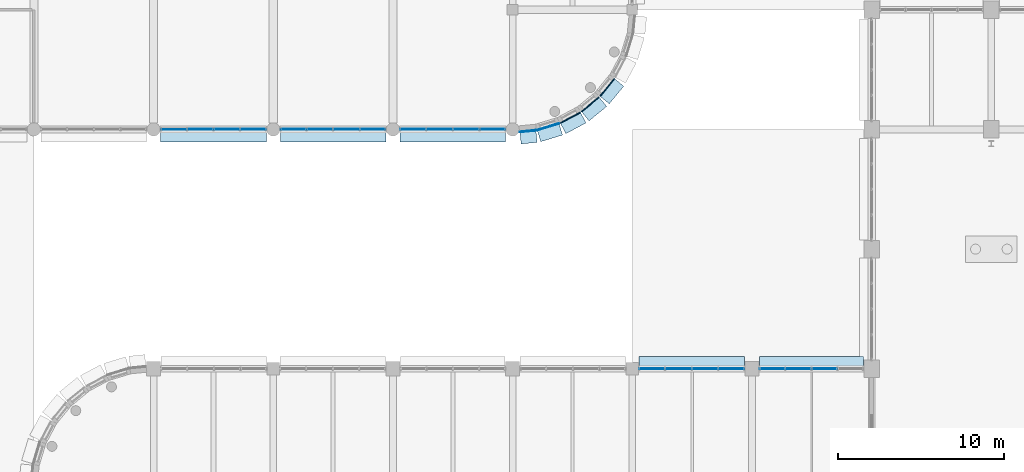
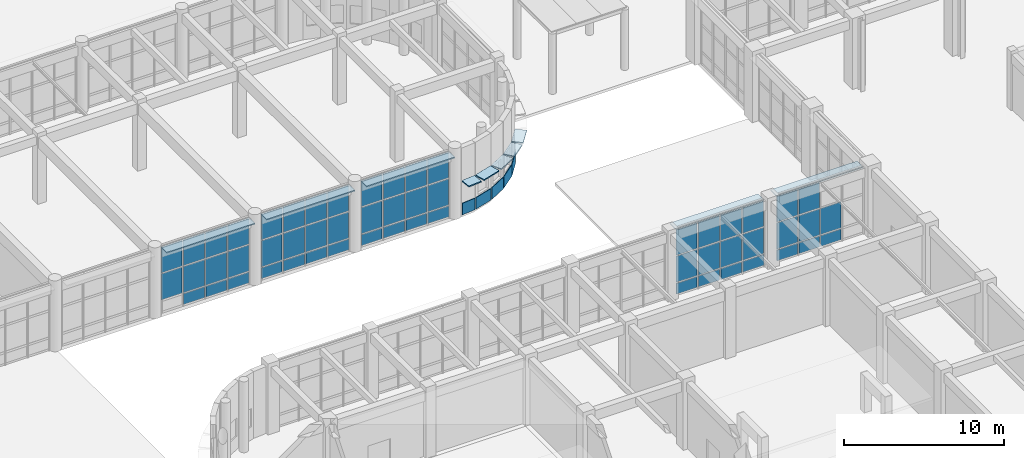
# One storey, part 118 of 160: 70 plates, 5 elements without a shape of their own.
"""IFC4 building model written with IfcOpenShell, lengths in metres."""

from ifc_helpers import new_model, si_unit, direction, frame, origin, origin_2d, place, context, subcontext, project, spatial, rectangle, extrude, material, layer, layer_set, type_object, element, aggregate, save


model = new_model("IFC4")

# Units and contexts
model_context = context("Model", 3, precision=1e-05, world=origin(), true_north=direction((0.0, 1.0)))
body_context = subcontext(model_context, "Body", "Model", "MODEL_VIEW")
ifc_project = project(units=[si_unit("LENGTHUNIT", "METRE"), si_unit("AREAUNIT", "SQUARE_METRE"), si_unit("VOLUMEUNIT", "CUBIC_METRE"), si_unit("PLANEANGLEUNIT", "RADIAN"), si_unit("MASSUNIT", "GRAM", prefix="KILO")], contexts=[model_context])

# Site, building, storey
site_placement = place(None, origin())
site = spatial("IfcSite", under=ifc_project, at=site_placement, CompositionType="ELEMENT")
building_placement = place(site_placement, origin())
building = spatial("IfcBuilding", under=site, at=building_placement, Name="Thalmaran Polytechnic", CompositionType="ELEMENT")
storey_placement = place(building_placement, origin())
storey = spatial("IfcBuildingStorey", under=building, at=storey_placement, Name="L00", CompositionType="ELEMENT", Elevation=0.0)

# Plates
ifc_material_1 = material(Name="Anodised aluminium spandrel band", Category="aluminium")
ifc_layer_1 = layer(ifc_material_1, 0.054931640625, Name="Anodised aluminium spandrel band")
ifc_layer_set_1 = layer_set([ifc_layer_1], Name="Anodised aluminium spandrel band")
plate_type_1 = type_object("IfcPlateType", Name="PT-BD01", PredefinedType="SHEET", material=ifc_layer_set_1)
for number, where, z_axis, x_axis, name in (
    (1, (92.089599609375, 52.9306640625, 0.02001953125), (0.0, 0.0, 1.0), (-0.634393284164, -0.773010453363, 0.0), "Streamline Horizontal Spandrel Band L00-132"),
    (2, (91.0693359375, 51.910400390625, 0.02001953125), (0.0, 0.0, 1.0), (-0.773010453363, -0.634393284164, 0.0), "Streamline Horizontal Spandrel Band L00-133"),
    (3, (89.86962890625, 51.10888671875, 0.02001953125), (0.0, 0.0, 1.0), (-0.881921264348, -0.471396736826, 0.0), "Streamline Horizontal Spandrel Band L00-134"),
    (4, (88.53662109375, 50.556640625, 0.02001953125), (0.0, 0.0, 1.0), (-0.956940335732, -0.290284677254, 0.0), "Streamline Horizontal Spandrel Band L00-135"),
):
    element("IfcPlate", number, at=place(storey_placement, frame(where, z_axis=z_axis, x_axis=x_axis)), inside=storey, type_object=plate_type_1, Name=name, PredefinedType="SHEET", context=body_context, shape_type="SweptSolid", body=[
        extrude(rectangle(XDim=1.371337890625, YDim=0.054931640625, at=origin_2d()), origin(), (0.0, 0.0, 1.0), 0.8798828125),
    ])
plate_1_placement = place(storey_placement, frame((87.320556640625, 50.294677734375, 0.02001953125), z_axis=(0.0, 0.0, 1.0), x_axis=(-0.995184726672, -0.09801714033, 0.0)))
element("IfcPlate", 5, at=plate_1_placement, inside=storey, type_object=plate_type_1, Name="Streamline Horizontal Spandrel Band L00-136", PredefinedType="SHEET", context=body_context, shape_type="SweptSolid", body=[
    extrude(rectangle(XDim=0.971435546875, YDim=0.054931640625, at=origin_2d()), origin(), (0.0, 0.0, 1.0), 0.8798828125),
])
ifc_material_2 = material(Name="Anodised aluminium sun-hood eyebrow", Category="aluminium")
ifc_layer_2 = layer(ifc_material_2, 0.0849609375, Name="Anodised aluminium sun-hood eyebrow")
ifc_layer_set_2 = layer_set([ifc_layer_2], Name="Anodised aluminium sun-hood eyebrow")
plate_type_2 = type_object("IfcPlateType", Name="PT-EB01", PredefinedType="SHEET", material=ifc_layer_set_2)
for number, where, z_axis, x_axis, name in (
    (6, (92.356201171875, 52.711669921875, 2.517578125), (0.0, 0.0, 1.0), (-0.634393284164, -0.773010453363, 0.0), "Streamline Sun-Hood Eyebrow L00-132"),
    (7, (91.288330078125, 51.643798828125, 2.517578125), (0.0, 0.0, 1.0), (-0.773010453363, -0.634393284164, 0.0), "Streamline Sun-Hood Eyebrow L00-133"),
    (8, (90.0322265625, 50.804443359375, 2.517578125), (0.0, 0.0, 1.0), (-0.881921264348, -0.471396736826, 0.0), "Streamline Sun-Hood Eyebrow L00-134"),
    (9, (88.63671875, 50.2265625, 2.517578125), (0.0, 0.0, 1.0), (-0.956940335732, -0.290284677254, 0.0), "Streamline Sun-Hood Eyebrow L00-135"),
):
    element("IfcPlate", number, at=place(storey_placement, frame(where, z_axis=z_axis, x_axis=x_axis)), inside=storey, type_object=plate_type_2, Name=name, PredefinedType="SHEET", context=body_context, shape_type="SweptSolid", body=[
        extrude(rectangle(XDim=1.371337890625, YDim=0.760009765625, at=origin_2d()), origin(), (0.0, 0.0, 1.0), 0.0849609375),
    ])
plate_2_placement = place(storey_placement, frame((87.354248046875, 49.951416015625, 2.517578125), z_axis=(0.0, 0.0, 1.0), x_axis=(-0.995184726672, -0.09801714033, 0.0)))
element("IfcPlate", 10, at=plate_2_placement, inside=storey, type_object=plate_type_2, Name="Streamline Sun-Hood Eyebrow L00-136", PredefinedType="SHEET", context=body_context, shape_type="SweptSolid", body=[
    extrude(rectangle(XDim=0.971435546875, YDim=0.760009765625, at=origin_2d()), origin(), (0.0, 0.0, 1.0), 0.0849609375),
])
for number, where, z_axis, x_axis, name in (
    (11, (82.800048828125, 50.0400390625, 4.987548828125), (0.0, 0.0, 1.0), (-1.0, 0.0, 0.0), "Streamline Sun-Hood Eyebrow L00-CW036"),
    (12, (75.60009765625, 50.0400390625, 4.987548828125), (0.0, 0.0, 1.0), (-1.0, 0.0, 0.0), "Streamline Sun-Hood Eyebrow L00-CW037"),
    (13, (68.39990234375, 50.0400390625, 4.987548828125), (0.0, 0.0, 1.0), (-1.0, 0.0, 0.0), "Streamline Sun-Hood Eyebrow L00-CW038"),
    (14, (97.175048828125, 36.360107421875, 4.987548828125), (0.0, 0.0, 1.0), (1.0, 0.0, 0.0), "Streamline Sun-Hood Eyebrow L00-CW059"),
):
    element("IfcPlate", number, at=place(storey_placement, frame(where, z_axis=z_axis, x_axis=x_axis)), inside=storey, type_object=plate_type_2, Name=name, PredefinedType="SHEET", context=body_context, shape_type="SweptSolid", body=[
        extrude(rectangle(XDim=6.360107421875, YDim=0.760009765625, at=origin_2d()), origin(), (0.0, 0.0, 1.0), 0.0849609375),
    ])
plate_3_placement = place(storey_placement, frame((104.375, 36.360107421875, 4.987548828125), z_axis=(0.0, 0.0, 1.0), x_axis=(1.0, 0.0, 0.0)))
element("IfcPlate", 15, at=plate_3_placement, inside=storey, type_object=plate_type_2, Name="Streamline Sun-Hood Eyebrow L00-CW060", PredefinedType="SHEET", context=body_context, shape_type="SweptSolid", body=[
    extrude(rectangle(XDim=6.260009765625, YDim=0.760009765625, at=origin_2d()), origin(), (0.0, 0.0, 1.0), 0.0849609375),
])

# Curtain wall, plates
ifc_material_3 = material(Name="Aluminium 6063-T6", Category="aluminium")
curtain_wall_type_1 = type_object("IfcCurtainWallType", Name="CW-UC01", PredefinedType="USERDEFINED", material=ifc_material_3)
curtain_wall_1_placement = place(storey_placement, origin())
curtain_wall_1 = element("IfcCurtainWall", 16, at=curtain_wall_1_placement, inside=storey, type_object=curtain_wall_type_1, Name="Curtain Wall CW-L00-060", ObjectType="UNITISED CURTAIN WALL", PredefinedType="USERDEFINED")
ifc_material_4 = material(Name="Solar-control double low-E glass", Category="glass")
ifc_layer_3 = layer(ifc_material_4, 0.035888671875, Name="Solar-control double low-E glass")
ifc_layer_set_3 = layer_set([ifc_layer_3], Name="Solar-control double low-E glass")
plate_type_3 = type_object("IfcPlateType", Name="PT-GL01", PredefinedType="CURTAIN_PANEL", material=ifc_layer_set_3)
plate_4_placement = place(storey_placement, frame((102.012451171875, 36.0, 1.0), z_axis=(0.0, 0.0, 1.0), x_axis=(1.0, 0.0, 0.0)))
plate_4 = element("IfcPlate", 17, at=plate_4_placement, type_object=plate_type_3, Name="CW-L00-060 Vision Panel 1-2", PredefinedType="CURTAIN_PANEL", context=body_context, shape_type="SweptSolid", body=[
    extrude(rectangle(XDim=1.47509765625, YDim=0.035888671875, at=origin_2d()), origin(), (0.0, 0.0, 1.0), 1.985107421875),
])
plate_5_placement = place(storey_placement, frame((102.012451171875, 36.0, 3.06494140625), z_axis=(0.0, 0.0, 1.0), x_axis=(1.0, 0.0, 0.0)))
plate_5 = element("IfcPlate", 18, at=plate_5_placement, type_object=plate_type_3, Name="CW-L00-060 Vision Panel 1-3", PredefinedType="CURTAIN_PANEL", context=body_context, shape_type="SweptSolid", body=[
    extrude(rectangle(XDim=1.47509765625, YDim=0.035888671875, at=origin_2d()), origin(), (0.0, 0.0, 1.0), 1.925048828125),
])
plate_6_placement = place(storey_placement, frame((103.58740234375, 36.0, 1.0), z_axis=(0.0, 0.0, 1.0), x_axis=(1.0, 0.0, 0.0)))
plate_6 = element("IfcPlate", 19, at=plate_6_placement, type_object=plate_type_3, Name="CW-L00-060 Vision Panel 2-2", PredefinedType="CURTAIN_PANEL", context=body_context, shape_type="SweptSolid", body=[
    extrude(rectangle(XDim=1.47509765625, YDim=0.035888671875, at=origin_2d()), origin(), (0.0, 0.0, 1.0), 1.985107421875),
])
plate_7_placement = place(storey_placement, frame((103.58740234375, 36.0, 3.06494140625), z_axis=(0.0, 0.0, 1.0), x_axis=(1.0, 0.0, 0.0)))
plate_7 = element("IfcPlate", 20, at=plate_7_placement, type_object=plate_type_3, Name="CW-L00-060 Vision Panel 2-3", PredefinedType="CURTAIN_PANEL", context=body_context, shape_type="SweptSolid", body=[
    extrude(rectangle(XDim=1.47509765625, YDim=0.035888671875, at=origin_2d()), origin(), (0.0, 0.0, 1.0), 1.925048828125),
])
plate_8_placement = place(storey_placement, frame((105.16259765625, 36.0, 1.0), z_axis=(0.0, 0.0, 1.0), x_axis=(1.0, 0.0, 0.0)))
plate_8 = element("IfcPlate", 21, at=plate_8_placement, type_object=plate_type_3, Name="CW-L00-060 Vision Panel 3-2", PredefinedType="CURTAIN_PANEL", context=body_context, shape_type="SweptSolid", body=[
    extrude(rectangle(XDim=1.47509765625, YDim=0.035888671875, at=origin_2d()), origin(), (0.0, 0.0, 1.0), 1.985107421875),
])

curtain_wall_type_2 = type_object("IfcCurtainWallType", Name="CW-SC01", PredefinedType="USERDEFINED", material=ifc_material_3)
curtain_wall_2_placement = place(storey_placement, origin())
curtain_wall_2 = element("IfcCurtainWall", 22, at=curtain_wall_2_placement, inside=storey, type_object=curtain_wall_type_2, Name="Curtain Wall CW-L00-036", ObjectType="STICK CURTAIN WALL", PredefinedType="USERDEFINED")
ifc_layer_4 = layer(ifc_material_4, 0.035888671875, Name="Solar-control double low-E glass")
ifc_layer_set_4 = layer_set([ifc_layer_4], Name="Solar-control double low-E glass")
plate_type_4 = type_object("IfcPlateType", Name="PT-GL02", PredefinedType="CURTAIN_PANEL", material=ifc_layer_set_4)
plate_9_placement = place(storey_placement, frame((85.199951171875, 50.39990234375, 1.0), z_axis=(0.0, 0.0, 1.0), x_axis=(-1.0, 0.0, 0.0)))
plate_9 = element("IfcPlate", 23, at=plate_9_placement, type_object=plate_type_4, Name="CW-L00-036 Vision Panel 1-2", PredefinedType="CURTAIN_PANEL", context=body_context, shape_type="SweptSolid", body=[
    extrude(rectangle(XDim=1.5, YDim=0.035888671875, at=origin_2d()), origin(), (0.0, 0.0, 1.0), 1.985107421875),
])
plate_10_placement = place(storey_placement, frame((85.199951171875, 50.39990234375, 3.06494140625), z_axis=(0.0, 0.0, 1.0), x_axis=(-1.0, 0.0, 0.0)))
plate_10 = element("IfcPlate", 24, at=plate_10_placement, type_object=plate_type_4, Name="CW-L00-036 Vision Panel 1-3", PredefinedType="CURTAIN_PANEL", context=body_context, shape_type="SweptSolid", body=[
    extrude(rectangle(XDim=1.5, YDim=0.035888671875, at=origin_2d()), origin(), (0.0, 0.0, 1.0), 1.925048828125),
])
plate_11_placement = place(storey_placement, frame((83.60009765625, 50.39990234375, 1.0), z_axis=(0.0, 0.0, 1.0), x_axis=(-1.0, 0.0, 0.0)))
plate_11 = element("IfcPlate", 25, at=plate_11_placement, type_object=plate_type_4, Name="CW-L00-036 Vision Panel 2-2", PredefinedType="CURTAIN_PANEL", context=body_context, shape_type="SweptSolid", body=[
    extrude(rectangle(XDim=1.5, YDim=0.035888671875, at=origin_2d()), origin(), (0.0, 0.0, 1.0), 1.985107421875),
])
plate_12_placement = place(storey_placement, frame((83.60009765625, 50.39990234375, 3.06494140625), z_axis=(0.0, 0.0, 1.0), x_axis=(-1.0, 0.0, 0.0)))
plate_12 = element("IfcPlate", 26, at=plate_12_placement, type_object=plate_type_4, Name="CW-L00-036 Vision Panel 2-3", PredefinedType="CURTAIN_PANEL", context=body_context, shape_type="SweptSolid", body=[
    extrude(rectangle(XDim=1.5, YDim=0.035888671875, at=origin_2d()), origin(), (0.0, 0.0, 1.0), 1.925048828125),
])
plate_13_placement = place(storey_placement, frame((82.0, 50.39990234375, 1.0), z_axis=(0.0, 0.0, 1.0), x_axis=(-1.0, 0.0, 0.0)))
plate_13 = element("IfcPlate", 27, at=plate_13_placement, type_object=plate_type_4, Name="CW-L00-036 Vision Panel 3-2", PredefinedType="CURTAIN_PANEL", context=body_context, shape_type="SweptSolid", body=[
    extrude(rectangle(XDim=1.5, YDim=0.035888671875, at=origin_2d()), origin(), (0.0, 0.0, 1.0), 1.985107421875),
])
plate_14_placement = place(storey_placement, frame((82.0, 50.39990234375, 3.06494140625), z_axis=(0.0, 0.0, 1.0), x_axis=(-1.0, 0.0, 0.0)))
plate_14 = element("IfcPlate", 28, at=plate_14_placement, type_object=plate_type_4, Name="CW-L00-036 Vision Panel 3-3", PredefinedType="CURTAIN_PANEL", context=body_context, shape_type="SweptSolid", body=[
    extrude(rectangle(XDim=1.5, YDim=0.035888671875, at=origin_2d()), origin(), (0.0, 0.0, 1.0), 1.925048828125),
])
plate_15_placement = place(storey_placement, frame((80.39990234375, 50.39990234375, 1.0), z_axis=(0.0, 0.0, 1.0), x_axis=(-1.0, 0.0, 0.0)))
plate_15 = element("IfcPlate", 29, at=plate_15_placement, type_object=plate_type_4, Name="CW-L00-036 Vision Panel 4-2", PredefinedType="CURTAIN_PANEL", context=body_context, shape_type="SweptSolid", body=[
    extrude(rectangle(XDim=1.5, YDim=0.035888671875, at=origin_2d()), origin(), (0.0, 0.0, 1.0), 1.985107421875),
])
plate_16_placement = place(storey_placement, frame((80.39990234375, 50.39990234375, 3.06494140625), z_axis=(0.0, 0.0, 1.0), x_axis=(-1.0, 0.0, 0.0)))
plate_16 = element("IfcPlate", 30, at=plate_16_placement, type_object=plate_type_4, Name="CW-L00-036 Vision Panel 4-3", PredefinedType="CURTAIN_PANEL", context=body_context, shape_type="SweptSolid", body=[
    extrude(rectangle(XDim=1.5, YDim=0.035888671875, at=origin_2d()), origin(), (0.0, 0.0, 1.0), 1.925048828125),
])

curtain_wall_3_placement = place(storey_placement, origin())
curtain_wall_3 = element("IfcCurtainWall", 31, at=curtain_wall_3_placement, inside=storey, type_object=curtain_wall_type_2, Name="Curtain Wall CW-L00-037", ObjectType="STICK CURTAIN WALL", PredefinedType="USERDEFINED")
ifc_layer_5 = layer(ifc_material_4, 0.035888671875, Name="Solar-control double low-E glass")
ifc_layer_set_5 = layer_set([ifc_layer_5], Name="Solar-control double low-E glass")
plate_type_5 = type_object("IfcPlateType", Name="PT-GL03", PredefinedType="CURTAIN_PANEL", material=ifc_layer_set_5)
plate_17_placement = place(storey_placement, frame((78.0, 50.39990234375, 1.0), z_axis=(0.0, 0.0, 1.0), x_axis=(-1.0, 0.0, 0.0)))
plate_17 = element("IfcPlate", 32, at=plate_17_placement, type_object=plate_type_5, Name="CW-L00-037 Vision Panel 1-2", PredefinedType="CURTAIN_PANEL", context=body_context, shape_type="SweptSolid", body=[
    extrude(rectangle(XDim=1.5, YDim=0.035888671875, at=origin_2d()), origin(), (0.0, 0.0, 1.0), 1.985107421875),
])
plate_18_placement = place(storey_placement, frame((78.0, 50.39990234375, 3.06494140625), z_axis=(0.0, 0.0, 1.0), x_axis=(-1.0, 0.0, 0.0)))
plate_18 = element("IfcPlate", 33, at=plate_18_placement, type_object=plate_type_5, Name="CW-L00-037 Vision Panel 1-3", PredefinedType="CURTAIN_PANEL", context=body_context, shape_type="SweptSolid", body=[
    extrude(rectangle(XDim=1.5, YDim=0.035888671875, at=origin_2d()), origin(), (0.0, 0.0, 1.0), 1.925048828125),
])
plate_19_placement = place(storey_placement, frame((76.39990234375, 50.39990234375, 1.0), z_axis=(0.0, 0.0, 1.0), x_axis=(-1.0, 0.0, 0.0)))
plate_19 = element("IfcPlate", 34, at=plate_19_placement, type_object=plate_type_5, Name="CW-L00-037 Vision Panel 2-2", PredefinedType="CURTAIN_PANEL", context=body_context, shape_type="SweptSolid", body=[
    extrude(rectangle(XDim=1.5, YDim=0.035888671875, at=origin_2d()), origin(), (0.0, 0.0, 1.0), 1.985107421875),
])
plate_20_placement = place(storey_placement, frame((76.39990234375, 50.39990234375, 3.06494140625), z_axis=(0.0, 0.0, 1.0), x_axis=(-1.0, 0.0, 0.0)))
plate_20 = element("IfcPlate", 35, at=plate_20_placement, type_object=plate_type_5, Name="CW-L00-037 Vision Panel 2-3", PredefinedType="CURTAIN_PANEL", context=body_context, shape_type="SweptSolid", body=[
    extrude(rectangle(XDim=1.5, YDim=0.035888671875, at=origin_2d()), origin(), (0.0, 0.0, 1.0), 1.925048828125),
])
plate_21_placement = place(storey_placement, frame((74.800048828125, 50.39990234375, 1.0), z_axis=(0.0, 0.0, 1.0), x_axis=(-1.0, 0.0, 0.0)))
plate_21 = element("IfcPlate", 36, at=plate_21_placement, type_object=plate_type_5, Name="CW-L00-037 Vision Panel 3-2", PredefinedType="CURTAIN_PANEL", context=body_context, shape_type="SweptSolid", body=[
    extrude(rectangle(XDim=1.5, YDim=0.035888671875, at=origin_2d()), origin(), (0.0, 0.0, 1.0), 1.985107421875),
])
plate_22_placement = place(storey_placement, frame((74.800048828125, 50.39990234375, 3.06494140625), z_axis=(0.0, 0.0, 1.0), x_axis=(-1.0, 0.0, 0.0)))
plate_22 = element("IfcPlate", 37, at=plate_22_placement, type_object=plate_type_5, Name="CW-L00-037 Vision Panel 3-3", PredefinedType="CURTAIN_PANEL", context=body_context, shape_type="SweptSolid", body=[
    extrude(rectangle(XDim=1.5, YDim=0.035888671875, at=origin_2d()), origin(), (0.0, 0.0, 1.0), 1.925048828125),
])
plate_23_placement = place(storey_placement, frame((73.199951171875, 50.39990234375, 1.0), z_axis=(0.0, 0.0, 1.0), x_axis=(-1.0, 0.0, 0.0)))
plate_23 = element("IfcPlate", 38, at=plate_23_placement, type_object=plate_type_5, Name="CW-L00-037 Vision Panel 4-2", PredefinedType="CURTAIN_PANEL", context=body_context, shape_type="SweptSolid", body=[
    extrude(rectangle(XDim=1.5, YDim=0.035888671875, at=origin_2d()), origin(), (0.0, 0.0, 1.0), 1.985107421875),
])
plate_24_placement = place(storey_placement, frame((73.199951171875, 50.39990234375, 3.06494140625), z_axis=(0.0, 0.0, 1.0), x_axis=(-1.0, 0.0, 0.0)))
plate_24 = element("IfcPlate", 39, at=plate_24_placement, type_object=plate_type_5, Name="CW-L00-037 Vision Panel 4-3", PredefinedType="CURTAIN_PANEL", context=body_context, shape_type="SweptSolid", body=[
    extrude(rectangle(XDim=1.5, YDim=0.035888671875, at=origin_2d()), origin(), (0.0, 0.0, 1.0), 1.925048828125),
])

curtain_wall_4_placement = place(storey_placement, origin())
curtain_wall_4 = element("IfcCurtainWall", 40, at=curtain_wall_4_placement, inside=storey, type_object=curtain_wall_type_2, Name="Curtain Wall CW-L00-038", ObjectType="STICK CURTAIN WALL", PredefinedType="USERDEFINED")
ifc_layer_6 = layer(ifc_material_4, 0.035888671875, Name="Solar-control double low-E glass")
ifc_layer_set_6 = layer_set([ifc_layer_6], Name="Solar-control double low-E glass")
plate_type_6 = type_object("IfcPlateType", Name="PT-GL04", PredefinedType="CURTAIN_PANEL", material=ifc_layer_set_6)
plate_25_placement = place(storey_placement, frame((70.800048828125, 50.39990234375, 1.0), z_axis=(0.0, 0.0, 1.0), x_axis=(-1.0, 0.0, 0.0)))
plate_25 = element("IfcPlate", 41, at=plate_25_placement, type_object=plate_type_6, Name="CW-L00-038 Vision Panel 1-2", PredefinedType="CURTAIN_PANEL", context=body_context, shape_type="SweptSolid", body=[
    extrude(rectangle(XDim=1.5, YDim=0.035888671875, at=origin_2d()), origin(), (0.0, 0.0, 1.0), 1.985107421875),
])
plate_26_placement = place(storey_placement, frame((70.800048828125, 50.39990234375, 3.06494140625), z_axis=(0.0, 0.0, 1.0), x_axis=(-1.0, 0.0, 0.0)))
plate_26 = element("IfcPlate", 42, at=plate_26_placement, type_object=plate_type_6, Name="CW-L00-038 Vision Panel 1-3", PredefinedType="CURTAIN_PANEL", context=body_context, shape_type="SweptSolid", body=[
    extrude(rectangle(XDim=1.5, YDim=0.035888671875, at=origin_2d()), origin(), (0.0, 0.0, 1.0), 1.925048828125),
])
plate_27_placement = place(storey_placement, frame((69.199951171875, 50.39990234375, 1.0), z_axis=(0.0, 0.0, 1.0), x_axis=(-1.0, 0.0, 0.0)))
plate_27 = element("IfcPlate", 43, at=plate_27_placement, type_object=plate_type_6, Name="CW-L00-038 Vision Panel 2-2", PredefinedType="CURTAIN_PANEL", context=body_context, shape_type="SweptSolid", body=[
    extrude(rectangle(XDim=1.5, YDim=0.035888671875, at=origin_2d()), origin(), (0.0, 0.0, 1.0), 1.985107421875),
])
plate_28_placement = place(storey_placement, frame((69.199951171875, 50.39990234375, 3.06494140625), z_axis=(0.0, 0.0, 1.0), x_axis=(-1.0, 0.0, 0.0)))
plate_28 = element("IfcPlate", 44, at=plate_28_placement, type_object=plate_type_6, Name="CW-L00-038 Vision Panel 2-3", PredefinedType="CURTAIN_PANEL", context=body_context, shape_type="SweptSolid", body=[
    extrude(rectangle(XDim=1.5, YDim=0.035888671875, at=origin_2d()), origin(), (0.0, 0.0, 1.0), 1.925048828125),
])
plate_29_placement = place(storey_placement, frame((67.60009765625, 50.39990234375, 1.0), z_axis=(0.0, 0.0, 1.0), x_axis=(-1.0, 0.0, 0.0)))
plate_29 = element("IfcPlate", 45, at=plate_29_placement, type_object=plate_type_6, Name="CW-L00-038 Vision Panel 3-2", PredefinedType="CURTAIN_PANEL", context=body_context, shape_type="SweptSolid", body=[
    extrude(rectangle(XDim=1.5, YDim=0.035888671875, at=origin_2d()), origin(), (0.0, 0.0, 1.0), 1.985107421875),
])
plate_30_placement = place(storey_placement, frame((67.60009765625, 50.39990234375, 3.06494140625), z_axis=(0.0, 0.0, 1.0), x_axis=(-1.0, 0.0, 0.0)))
plate_30 = element("IfcPlate", 46, at=plate_30_placement, type_object=plate_type_6, Name="CW-L00-038 Vision Panel 3-3", PredefinedType="CURTAIN_PANEL", context=body_context, shape_type="SweptSolid", body=[
    extrude(rectangle(XDim=1.5, YDim=0.035888671875, at=origin_2d()), origin(), (0.0, 0.0, 1.0), 1.925048828125),
])
plate_31_placement = place(storey_placement, frame((66.0, 50.39990234375, 1.0), z_axis=(0.0, 0.0, 1.0), x_axis=(-1.0, 0.0, 0.0)))
plate_31 = element("IfcPlate", 47, at=plate_31_placement, type_object=plate_type_6, Name="CW-L00-038 Vision Panel 4-2", PredefinedType="CURTAIN_PANEL", context=body_context, shape_type="SweptSolid", body=[
    extrude(rectangle(XDim=1.5, YDim=0.035888671875, at=origin_2d()), origin(), (0.0, 0.0, 1.0), 1.985107421875),
])
plate_32_placement = place(storey_placement, frame((66.0, 50.39990234375, 3.06494140625), z_axis=(0.0, 0.0, 1.0), x_axis=(-1.0, 0.0, 0.0)))
plate_32 = element("IfcPlate", 48, at=plate_32_placement, type_object=plate_type_6, Name="CW-L00-038 Vision Panel 4-3", PredefinedType="CURTAIN_PANEL", context=body_context, shape_type="SweptSolid", body=[
    extrude(rectangle(XDim=1.5, YDim=0.035888671875, at=origin_2d()), origin(), (0.0, 0.0, 1.0), 1.925048828125),
])

curtain_wall_5_placement = place(storey_placement, origin())
curtain_wall_5 = element("IfcCurtainWall", 49, at=curtain_wall_5_placement, inside=storey, type_object=curtain_wall_type_1, Name="Curtain Wall CW-L00-059", ObjectType="UNITISED CURTAIN WALL", PredefinedType="USERDEFINED")
ifc_layer_7 = layer(ifc_material_4, 0.035888671875, Name="Solar-control double low-E glass")
ifc_layer_set_7 = layer_set([ifc_layer_7], Name="Solar-control double low-E glass")
plate_type_7 = type_object("IfcPlateType", Name="PT-GL05", PredefinedType="CURTAIN_PANEL", material=ifc_layer_set_7)
plate_33_placement = place(storey_placement, frame((94.77490234375, 36.0, 1.0), z_axis=(0.0, 0.0, 1.0), x_axis=(1.0, 0.0, 0.0)))
plate_33 = element("IfcPlate", 50, at=plate_33_placement, type_object=plate_type_7, Name="CW-L00-059 Vision Panel 1-2", PredefinedType="CURTAIN_PANEL", context=body_context, shape_type="SweptSolid", body=[
    extrude(rectangle(XDim=1.5, YDim=0.035888671875, at=origin_2d()), origin(), (0.0, 0.0, 1.0), 1.985107421875),
])
plate_34_placement = place(storey_placement, frame((94.77490234375, 36.0, 3.06494140625), z_axis=(0.0, 0.0, 1.0), x_axis=(1.0, 0.0, 0.0)))
plate_34 = element("IfcPlate", 51, at=plate_34_placement, type_object=plate_type_7, Name="CW-L00-059 Vision Panel 1-3", PredefinedType="CURTAIN_PANEL", context=body_context, shape_type="SweptSolid", body=[
    extrude(rectangle(XDim=1.5, YDim=0.035888671875, at=origin_2d()), origin(), (0.0, 0.0, 1.0), 1.925048828125),
])
plate_35_placement = place(storey_placement, frame((96.375, 36.0, 1.0), z_axis=(0.0, 0.0, 1.0), x_axis=(1.0, 0.0, 0.0)))
plate_35 = element("IfcPlate", 52, at=plate_35_placement, type_object=plate_type_7, Name="CW-L00-059 Vision Panel 2-2", PredefinedType="CURTAIN_PANEL", context=body_context, shape_type="SweptSolid", body=[
    extrude(rectangle(XDim=1.5, YDim=0.035888671875, at=origin_2d()), origin(), (0.0, 0.0, 1.0), 1.985107421875),
])
plate_36_placement = place(storey_placement, frame((96.375, 36.0, 3.06494140625), z_axis=(0.0, 0.0, 1.0), x_axis=(1.0, 0.0, 0.0)))
plate_36 = element("IfcPlate", 53, at=plate_36_placement, type_object=plate_type_7, Name="CW-L00-059 Vision Panel 2-3", PredefinedType="CURTAIN_PANEL", context=body_context, shape_type="SweptSolid", body=[
    extrude(rectangle(XDim=1.5, YDim=0.035888671875, at=origin_2d()), origin(), (0.0, 0.0, 1.0), 1.925048828125),
])
plate_37_placement = place(storey_placement, frame((97.97509765625, 36.0, 1.0), z_axis=(0.0, 0.0, 1.0), x_axis=(1.0, 0.0, 0.0)))
plate_37 = element("IfcPlate", 54, at=plate_37_placement, type_object=plate_type_7, Name="CW-L00-059 Vision Panel 3-2", PredefinedType="CURTAIN_PANEL", context=body_context, shape_type="SweptSolid", body=[
    extrude(rectangle(XDim=1.5, YDim=0.035888671875, at=origin_2d()), origin(), (0.0, 0.0, 1.0), 1.985107421875),
])
plate_38_placement = place(storey_placement, frame((97.97509765625, 36.0, 3.06494140625), z_axis=(0.0, 0.0, 1.0), x_axis=(1.0, 0.0, 0.0)))
plate_38 = element("IfcPlate", 55, at=plate_38_placement, type_object=plate_type_7, Name="CW-L00-059 Vision Panel 3-3", PredefinedType="CURTAIN_PANEL", context=body_context, shape_type="SweptSolid", body=[
    extrude(rectangle(XDim=1.5, YDim=0.035888671875, at=origin_2d()), origin(), (0.0, 0.0, 1.0), 1.925048828125),
])
plate_39_placement = place(storey_placement, frame((99.574951171875, 36.0, 1.0), z_axis=(0.0, 0.0, 1.0), x_axis=(1.0, 0.0, 0.0)))
plate_39 = element("IfcPlate", 56, at=plate_39_placement, type_object=plate_type_7, Name="CW-L00-059 Vision Panel 4-2", PredefinedType="CURTAIN_PANEL", context=body_context, shape_type="SweptSolid", body=[
    extrude(rectangle(XDim=1.5, YDim=0.035888671875, at=origin_2d()), origin(), (0.0, 0.0, 1.0), 1.985107421875),
])
plate_40_placement = place(storey_placement, frame((99.574951171875, 36.0, 3.06494140625), z_axis=(0.0, 0.0, 1.0), x_axis=(1.0, 0.0, 0.0)))
plate_40 = element("IfcPlate", 57, at=plate_40_placement, type_object=plate_type_7, Name="CW-L00-059 Vision Panel 4-3", PredefinedType="CURTAIN_PANEL", context=body_context, shape_type="SweptSolid", body=[
    extrude(rectangle(XDim=1.5, YDim=0.035888671875, at=origin_2d()), origin(), (0.0, 0.0, 1.0), 1.925048828125),
])

# Plate
ifc_material_5 = material(Name="Insulated anodised aluminium spandrel", Category="aluminium")
ifc_layer_8 = layer(ifc_material_5, 0.06005859375, Name="Insulated anodised aluminium spandrel")
ifc_layer_set_8 = layer_set([ifc_layer_8], Name="Insulated anodised aluminium spandrel")
plate_type_8 = type_object("IfcPlateType", Name="PT-SP01", PredefinedType="CURTAIN_PANEL", material=ifc_layer_set_8)
plate_41_placement = place(storey_placement, frame((85.199951171875, 50.39990234375, 0.10009765625), z_axis=(0.0, 0.0, 1.0), x_axis=(-1.0, 0.0, 0.0)))
plate_41 = element("IfcPlate", 58, at=plate_41_placement, type_object=plate_type_8, Name="CW-L00-036 Spandrel Panel 1-1", PredefinedType="CURTAIN_PANEL", context=body_context, shape_type="SweptSolid", body=[
    extrude(rectangle(XDim=1.5, YDim=0.06005859375, at=origin_2d()), origin(), (0.0, 0.0, 1.0), 0.820068359375),
])

plate_42_placement = place(storey_placement, frame((83.60009765625, 50.39990234375, 0.10009765625), z_axis=(0.0, 0.0, 1.0), x_axis=(-1.0, 0.0, 0.0)))
plate_42 = element("IfcPlate", 59, at=plate_42_placement, type_object=plate_type_8, Name="CW-L00-036 Spandrel Panel 2-1", PredefinedType="CURTAIN_PANEL", context=body_context, shape_type="SweptSolid", body=[
    extrude(rectangle(XDim=1.5, YDim=0.06005859375, at=origin_2d()), origin(), (0.0, 0.0, 1.0), 0.820068359375),
])

plate_43_placement = place(storey_placement, frame((82.0, 50.39990234375, 0.10009765625), z_axis=(0.0, 0.0, 1.0), x_axis=(-1.0, 0.0, 0.0)))
plate_43 = element("IfcPlate", 60, at=plate_43_placement, type_object=plate_type_8, Name="CW-L00-036 Spandrel Panel 3-1", PredefinedType="CURTAIN_PANEL", context=body_context, shape_type="SweptSolid", body=[
    extrude(rectangle(XDim=1.5, YDim=0.06005859375, at=origin_2d()), origin(), (0.0, 0.0, 1.0), 0.820068359375),
])

plate_44_placement = place(storey_placement, frame((80.39990234375, 50.39990234375, 0.10009765625), z_axis=(0.0, 0.0, 1.0), x_axis=(-1.0, 0.0, 0.0)))
plate_44 = element("IfcPlate", 61, at=plate_44_placement, type_object=plate_type_8, Name="CW-L00-036 Spandrel Panel 4-1", PredefinedType="CURTAIN_PANEL", context=body_context, shape_type="SweptSolid", body=[
    extrude(rectangle(XDim=1.5, YDim=0.06005859375, at=origin_2d()), origin(), (0.0, 0.0, 1.0), 0.820068359375),
])

aggregate(curtain_wall_2, [plate_41, plate_9, plate_10, plate_42, plate_11, plate_12, plate_43, plate_13, plate_14, plate_44, plate_15, plate_16])

plate_45_placement = place(storey_placement, frame((102.012451171875, 36.0, 0.10009765625), z_axis=(0.0, 0.0, 1.0), x_axis=(1.0, 0.0, 0.0)))
plate_45 = element("IfcPlate", 62, at=plate_45_placement, type_object=plate_type_8, Name="CW-L00-060 Spandrel Panel 1-1", PredefinedType="CURTAIN_PANEL", context=body_context, shape_type="SweptSolid", body=[
    extrude(rectangle(XDim=1.47509765625, YDim=0.06005859375, at=origin_2d()), origin(), (0.0, 0.0, 1.0), 0.820068359375),
])

plate_46_placement = place(storey_placement, frame((103.58740234375, 36.0, 0.10009765625), z_axis=(0.0, 0.0, 1.0), x_axis=(1.0, 0.0, 0.0)))
plate_46 = element("IfcPlate", 63, at=plate_46_placement, type_object=plate_type_8, Name="CW-L00-060 Spandrel Panel 2-1", PredefinedType="CURTAIN_PANEL", context=body_context, shape_type="SweptSolid", body=[
    extrude(rectangle(XDim=1.47509765625, YDim=0.06005859375, at=origin_2d()), origin(), (0.0, 0.0, 1.0), 0.820068359375),
])

plate_47_placement = place(storey_placement, frame((105.16259765625, 36.0, 0.10009765625), z_axis=(0.0, 0.0, 1.0), x_axis=(1.0, 0.0, 0.0)))
plate_47 = element("IfcPlate", 64, at=plate_47_placement, type_object=plate_type_8, Name="CW-L00-060 Spandrel Panel 3-1", PredefinedType="CURTAIN_PANEL", context=body_context, shape_type="SweptSolid", body=[
    extrude(rectangle(XDim=1.47509765625, YDim=0.06005859375, at=origin_2d()), origin(), (0.0, 0.0, 1.0), 0.820068359375),
])

aggregate(curtain_wall_1, [plate_45, plate_4, plate_5, plate_46, plate_6, plate_7, plate_47, plate_8])

ifc_layer_9 = layer(ifc_material_5, 0.06005859375, Name="Insulated anodised aluminium spandrel")
ifc_layer_set_9 = layer_set([ifc_layer_9], Name="Insulated anodised aluminium spandrel")
plate_type_9 = type_object("IfcPlateType", Name="PT-SP02", PredefinedType="CURTAIN_PANEL", material=ifc_layer_set_9)
plate_48_placement = place(storey_placement, frame((78.0, 50.39990234375, 0.10009765625), z_axis=(0.0, 0.0, 1.0), x_axis=(-1.0, 0.0, 0.0)))
plate_48 = element("IfcPlate", 65, at=plate_48_placement, type_object=plate_type_9, Name="CW-L00-037 Spandrel Panel 1-1", PredefinedType="CURTAIN_PANEL", context=body_context, shape_type="SweptSolid", body=[
    extrude(rectangle(XDim=1.5, YDim=0.06005859375, at=origin_2d()), origin(), (0.0, 0.0, 1.0), 0.820068359375),
])

plate_49_placement = place(storey_placement, frame((76.39990234375, 50.39990234375, 0.10009765625), z_axis=(0.0, 0.0, 1.0), x_axis=(-1.0, 0.0, 0.0)))
plate_49 = element("IfcPlate", 66, at=plate_49_placement, type_object=plate_type_9, Name="CW-L00-037 Spandrel Panel 2-1", PredefinedType="CURTAIN_PANEL", context=body_context, shape_type="SweptSolid", body=[
    extrude(rectangle(XDim=1.5, YDim=0.06005859375, at=origin_2d()), origin(), (0.0, 0.0, 1.0), 0.820068359375),
])

plate_50_placement = place(storey_placement, frame((74.800048828125, 50.39990234375, 0.10009765625), z_axis=(0.0, 0.0, 1.0), x_axis=(-1.0, 0.0, 0.0)))
plate_50 = element("IfcPlate", 67, at=plate_50_placement, type_object=plate_type_9, Name="CW-L00-037 Spandrel Panel 3-1", PredefinedType="CURTAIN_PANEL", context=body_context, shape_type="SweptSolid", body=[
    extrude(rectangle(XDim=1.5, YDim=0.06005859375, at=origin_2d()), origin(), (0.0, 0.0, 1.0), 0.820068359375),
])

plate_51_placement = place(storey_placement, frame((73.199951171875, 50.39990234375, 0.10009765625), z_axis=(0.0, 0.0, 1.0), x_axis=(-1.0, 0.0, 0.0)))
plate_51 = element("IfcPlate", 68, at=plate_51_placement, type_object=plate_type_9, Name="CW-L00-037 Spandrel Panel 4-1", PredefinedType="CURTAIN_PANEL", context=body_context, shape_type="SweptSolid", body=[
    extrude(rectangle(XDim=1.5, YDim=0.06005859375, at=origin_2d()), origin(), (0.0, 0.0, 1.0), 0.820068359375),
])

aggregate(curtain_wall_3, [plate_48, plate_17, plate_18, plate_49, plate_19, plate_20, plate_50, plate_21, plate_22, plate_51, plate_23, plate_24])

ifc_layer_10 = layer(ifc_material_5, 0.06005859375, Name="Insulated anodised aluminium spandrel")
ifc_layer_set_10 = layer_set([ifc_layer_10], Name="Insulated anodised aluminium spandrel")
plate_type_10 = type_object("IfcPlateType", Name="PT-SP03", PredefinedType="CURTAIN_PANEL", material=ifc_layer_set_10)
plate_52_placement = place(storey_placement, frame((70.800048828125, 50.39990234375, 0.10009765625), z_axis=(0.0, 0.0, 1.0), x_axis=(-1.0, 0.0, 0.0)))
plate_52 = element("IfcPlate", 69, at=plate_52_placement, type_object=plate_type_10, Name="CW-L00-038 Spandrel Panel 1-1", PredefinedType="CURTAIN_PANEL", context=body_context, shape_type="SweptSolid", body=[
    extrude(rectangle(XDim=1.5, YDim=0.06005859375, at=origin_2d()), origin(), (0.0, 0.0, 1.0), 0.820068359375),
])

plate_53_placement = place(storey_placement, frame((69.199951171875, 50.39990234375, 0.10009765625), z_axis=(0.0, 0.0, 1.0), x_axis=(-1.0, 0.0, 0.0)))
plate_53 = element("IfcPlate", 70, at=plate_53_placement, type_object=plate_type_10, Name="CW-L00-038 Spandrel Panel 2-1", PredefinedType="CURTAIN_PANEL", context=body_context, shape_type="SweptSolid", body=[
    extrude(rectangle(XDim=1.5, YDim=0.06005859375, at=origin_2d()), origin(), (0.0, 0.0, 1.0), 0.820068359375),
])

plate_54_placement = place(storey_placement, frame((67.60009765625, 50.39990234375, 0.10009765625), z_axis=(0.0, 0.0, 1.0), x_axis=(-1.0, 0.0, 0.0)))
plate_54 = element("IfcPlate", 71, at=plate_54_placement, type_object=plate_type_10, Name="CW-L00-038 Spandrel Panel 3-1", PredefinedType="CURTAIN_PANEL", context=body_context, shape_type="SweptSolid", body=[
    extrude(rectangle(XDim=1.5, YDim=0.06005859375, at=origin_2d()), origin(), (0.0, 0.0, 1.0), 0.820068359375),
])

aggregate(curtain_wall_4, [plate_52, plate_25, plate_26, plate_53, plate_27, plate_28, plate_54, plate_29, plate_30, plate_31, plate_32])

plate_55_placement = place(storey_placement, frame((94.77490234375, 36.0, 0.10009765625), z_axis=(0.0, 0.0, 1.0), x_axis=(1.0, 0.0, 0.0)))
plate_55 = element("IfcPlate", 72, at=plate_55_placement, type_object=plate_type_10, Name="CW-L00-059 Spandrel Panel 1-1", PredefinedType="CURTAIN_PANEL", context=body_context, shape_type="SweptSolid", body=[
    extrude(rectangle(XDim=1.5, YDim=0.06005859375, at=origin_2d()), origin(), (0.0, 0.0, 1.0), 0.820068359375),
])

plate_56_placement = place(storey_placement, frame((96.375, 36.0, 0.10009765625), z_axis=(0.0, 0.0, 1.0), x_axis=(1.0, 0.0, 0.0)))
plate_56 = element("IfcPlate", 73, at=plate_56_placement, type_object=plate_type_10, Name="CW-L00-059 Spandrel Panel 2-1", PredefinedType="CURTAIN_PANEL", context=body_context, shape_type="SweptSolid", body=[
    extrude(rectangle(XDim=1.5, YDim=0.06005859375, at=origin_2d()), origin(), (0.0, 0.0, 1.0), 0.820068359375),
])

plate_57_placement = place(storey_placement, frame((97.97509765625, 36.0, 0.10009765625), z_axis=(0.0, 0.0, 1.0), x_axis=(1.0, 0.0, 0.0)))
plate_57 = element("IfcPlate", 74, at=plate_57_placement, type_object=plate_type_10, Name="CW-L00-059 Spandrel Panel 3-1", PredefinedType="CURTAIN_PANEL", context=body_context, shape_type="SweptSolid", body=[
    extrude(rectangle(XDim=1.5, YDim=0.06005859375, at=origin_2d()), origin(), (0.0, 0.0, 1.0), 0.820068359375),
])

plate_58_placement = place(storey_placement, frame((99.574951171875, 36.0, 0.10009765625), z_axis=(0.0, 0.0, 1.0), x_axis=(1.0, 0.0, 0.0)))
plate_58 = element("IfcPlate", 75, at=plate_58_placement, type_object=plate_type_10, Name="CW-L00-059 Spandrel Panel 4-1", PredefinedType="CURTAIN_PANEL", context=body_context, shape_type="SweptSolid", body=[
    extrude(rectangle(XDim=1.5, YDim=0.06005859375, at=origin_2d()), origin(), (0.0, 0.0, 1.0), 0.820068359375),
])

aggregate(curtain_wall_5, [plate_55, plate_33, plate_34, plate_56, plate_35, plate_36, plate_57, plate_37, plate_38, plate_58, plate_39, plate_40])

save(model, "model.ifc")
